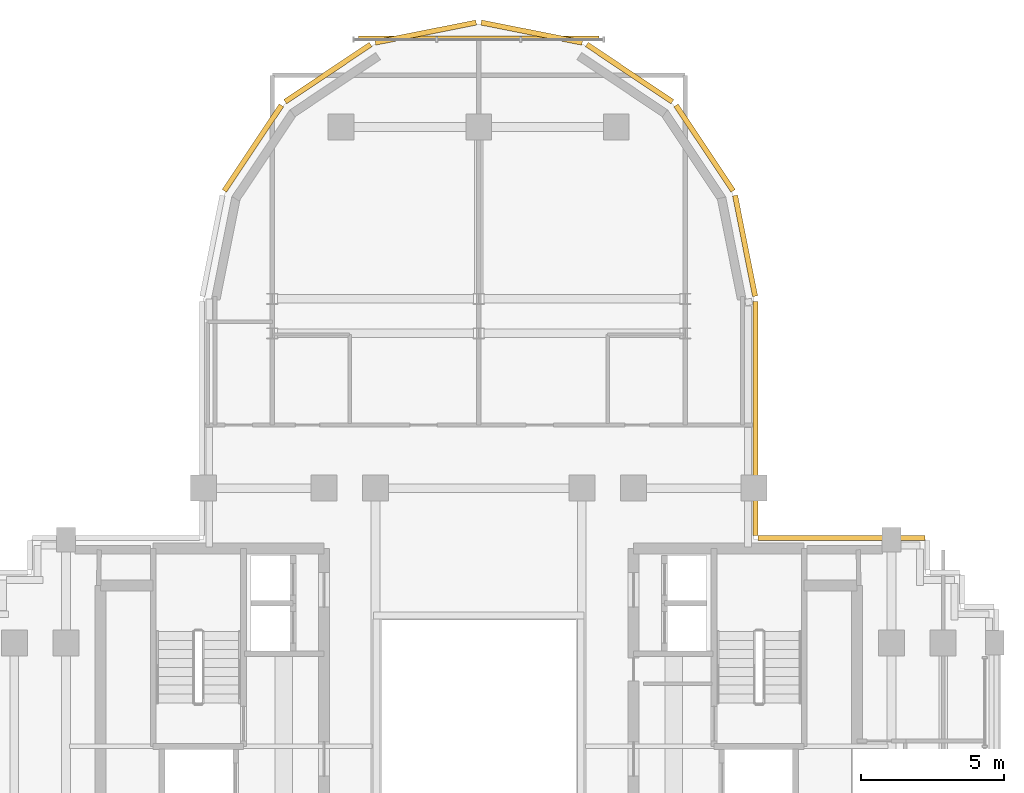
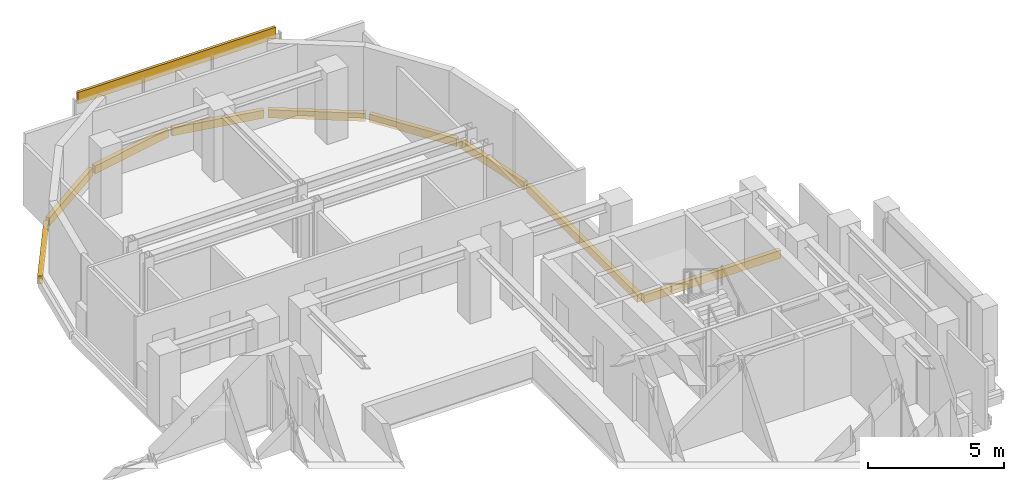
# One storey, part 11 of 11: 10 coverings.
"""IFC4 building model written with IfcOpenShell, lengths in metres."""

import ifcopenshell
import ifcopenshell.guid

model = None  # the IFC model being written
_history = None  # IfcOwnerHistory: only IFC2X3 demands one
_inside = {}  # id of a spatial element -> (the spatial element, [elements in it])
_under = {}  # id of a project, library or spatial element -> (it, [spatial elements below it])
_declared = {}  # id of a project -> (the project, [libraries it declares])
_typed = {}  # id of a type object -> (the type object, [elements of that type])
_made_of = {}  # id of a material, layer set ... -> (it, [elements and type objects made of it])


def new_model(schema):
    """Start an empty IFC model of exactly this schema.

    Asked for "IFC4X3", IfcOpenShell would pick the latest addendum, in which some entities
    have other attributes; the version numbers below select the first issue.
    IFC2X3 requires an IfcOwnerHistory on every rooted entity: one is made here for all.
    """
    global model, _history
    if schema == "IFC4X3":
        model = ifcopenshell.file(schema_version=(4, 3, 0, 0))
    else:
        model = ifcopenshell.file(schema=schema)
    _inside.clear()
    _under.clear()
    _declared.clear()
    _typed.clear()
    _made_of.clear()
    _history = None
    if model.schema == "IFC2X3":
        org = make("IfcOrganization", Name="unknown")
        user = make(
            "IfcPersonAndOrganization",
            ThePerson=make("IfcPerson", FamilyName="unknown"),
            TheOrganization=org,
        )
        app = make(
            "IfcApplication",
            ApplicationDeveloper=org,
            Version="unknown",
            ApplicationFullName="unknown",
            ApplicationIdentifier="unknown",
        )
        _history = make(
            "IfcOwnerHistory",
            OwningUser=user,
            OwningApplication=app,
            ChangeAction="ADDED",
            CreationDate=0,
        )
    return model


def make(cls, **values):
    """One entity of the class cls with the attributes given. An attribute that is None is left unset."""
    return model.create_entity(
        cls, **{name: value for name, value in values.items() if value is not None}
    )


def rooted(cls, **values):
    """An entity with a GlobalId (a new one), such as an element, a storey or a relation."""
    return make(cls, GlobalId=ifcopenshell.guid.new(), OwnerHistory=_history, **values)


def si_unit(unit_type, name, prefix=None):
    """IfcSIUnit, for example si_unit("LENGTHUNIT", "METRE", prefix="MILLI")."""
    return make("IfcSIUnit", UnitType=unit_type, Prefix=prefix, Name=name)


def assignment(units):
    """IfcUnitAssignment: the units of a project."""
    return None if units is None else make("IfcUnitAssignment", Units=units)


def point(xyz):
    """IfcCartesianPoint."""
    return None if xyz is None else make("IfcCartesianPoint", Coordinates=xyz)


def direction(xyz):
    """IfcDirection."""
    return None if xyz is None else make("IfcDirection", DirectionRatios=xyz)


def frame(location, z_axis=None, x_axis=None):
    """IfcAxis2Placement3D, a coordinate frame: its origin and axes. An axis left out is left unset."""
    return make(
        "IfcAxis2Placement3D",
        Location=point(location),
        Axis=direction(z_axis),
        RefDirection=direction(x_axis),
    )


def frame_2d(location, x_axis=None):
    """IfcAxis2Placement2D, a coordinate frame in the plane: its origin and x axis."""
    return make(
        "IfcAxis2Placement2D", Location=point(location), RefDirection=direction(x_axis)
    )


def origin():
    """The frame at (0, 0, 0) with its axes left unset."""
    return frame((0.0, 0.0, 0.0))


def origin_2d():
    """The frame at (0, 0) in the plane with its x axis left unset."""
    return frame_2d((0.0, 0.0))


def place(relative_to, where):
    """IfcLocalPlacement: puts the frame where relative to a parent placement (None: the world)."""
    return make(
        "IfcLocalPlacement", PlacementRelTo=relative_to, RelativePlacement=where
    )


def context(
    kind, dimensions, precision=None, world=None, true_north=None, identifier=None
):
    """IfcGeometricRepresentationContext, for example the 3D "Model" context."""
    return make(
        "IfcGeometricRepresentationContext",
        ContextIdentifier=identifier,
        ContextType=kind,
        CoordinateSpaceDimension=dimensions,
        Precision=precision,
        WorldCoordinateSystem=world,
        TrueNorth=true_north,
    )


def subcontext(parent, identifier, kind, view, scale=None):
    """IfcGeometricRepresentationSubContext, for example "Body" below "Model"."""
    return make(
        "IfcGeometricRepresentationSubContext",
        ContextIdentifier=identifier,
        ContextType=kind,
        ParentContext=parent,
        TargetScale=scale,
        TargetView=view,
    )


def project(units=None, contexts=None):
    """IfcProject with its units and contexts."""
    return rooted(
        "IfcProject",
        Name="project",
        RepresentationContexts=contexts,
        UnitsInContext=assignment(units),
    )


def spatial(cls, under=None, at=None, **own):
    """A site, building, storey or space (cls), placed at a placement, below another one or the project."""
    s = rooted(cls, ObjectPlacement=at, **own)
    if under is not None:
        _under.setdefault(under.id(), (under, []))[1].append(s)
    return s


def profile(cls, at=None, kind="AREA", **sizes):
    """A parametric profile (cls). Its sizes go by their IFC names, for example OverallWidth=200.0."""
    return make(cls, ProfileType=kind, Position=at, **sizes)


def rectangle(**sizes):
    """IfcRectangleProfileDef."""
    return profile("IfcRectangleProfileDef", **sizes)


def extrude(swept, where, along, depth):
    """IfcExtrudedAreaSolid: the profile swept, set in the frame where, extruded along a direction by depth."""
    return make(
        "IfcExtrudedAreaSolid",
        SweptArea=swept,
        Position=where,
        ExtrudedDirection=direction(along),
        Depth=depth,
    )


def shape(context_of_items, identifier, shape_type, items):
    """IfcShapeRepresentation: the items that make up one representation, for example the "Body"."""
    return make(
        "IfcShapeRepresentation",
        ContextOfItems=context_of_items,
        RepresentationIdentifier=identifier,
        RepresentationType=shape_type,
        Items=items,
    )


def source(mapping_origin, context_of_items, identifier, shape_type, items):
    """IfcRepresentationMap: a shape defined once, which mapped items show again and again."""
    return make(
        "IfcRepresentationMap",
        MappingOrigin=mapping_origin,
        MappedRepresentation=shape(context_of_items, identifier, shape_type, items),
    )


def transform(
    local_origin,
    x_axis=None,
    y_axis=None,
    z_axis=None,
    scale=None,
    scale2=None,
    scale3=None,
    uniform=True,
):
    """IfcCartesianTransformationOperator3D, or its non-uniform kind. x_axis, y_axis, z_axis: its Axis1, 2, 3."""
    if uniform:
        return make(
            "IfcCartesianTransformationOperator3D",
            Axis1=direction(x_axis),
            Axis2=direction(y_axis),
            LocalOrigin=point(local_origin),
            Scale=scale,
            Axis3=direction(z_axis),
        )
    return make(
        "IfcCartesianTransformationOperator3DnonUniform",
        Axis1=direction(x_axis),
        Axis2=direction(y_axis),
        LocalOrigin=point(local_origin),
        Scale=scale,
        Axis3=direction(z_axis),
        Scale2=scale2,
        Scale3=scale3,
    )


def mapped(mapping_source, mapping_target):
    """IfcMappedItem: shows the shape of a source again, moved by a transform."""
    return make(
        "IfcMappedItem", MappingSource=mapping_source, MappingTarget=mapping_target
    )


def material(Name=None, Category=None):
    """IfcMaterial."""
    return make("IfcMaterial", Name=Name, Category=Category)


def layer(
    of_material, thickness, ventilated=None, Name=None, Category=None, Priority=None
):
    """IfcMaterialLayer: one layer of a wall or slab, of a material (None: an air gap)."""
    return make(
        "IfcMaterialLayer",
        Material=of_material,
        LayerThickness=thickness,
        IsVentilated=ventilated,
        Name=Name,
        Category=Category,
        Priority=Priority,
    )


def layer_set(layers, Name=None):
    """IfcMaterialLayerSet."""
    return make("IfcMaterialLayerSet", MaterialLayers=layers, LayerSetName=Name)


def made_of(thing, what):
    """Note that an element or type object is made of a material, layer set ...; save() writes the relation."""
    if what is not None:
        _made_of.setdefault(what.id(), (what, []))[1].append(thing)
    return thing


def type_object(cls, material=None, **own):
    """A type object (cls), such as IfcWallType, which elements share."""
    return made_of(rooted(cls, **own), material)


def element(
    cls,
    number,
    at=None,
    inside=None,
    cuts=None,
    type_object=None,
    material=None,
    context=None,
    identifier="Body",
    shape_type=None,
    held_by="IfcProductDefinitionShape",
    body=None,
    shapes=None,
    **own,
):
    """One element of the class cls, such as IfcWall. Its Tag is "e" and its number.

    at: its placement. inside: the storey or other place that contains it. cuts: it is an
    opening in that element (IfcRelVoidsElement). A single representation is given by context,
    identifier, shape_type and body (its items); several are given by shapes. held_by: the class
    of the entity that holds the representations. save() writes the other relations.
    """
    e = rooted(cls, Tag="e%d" % number, ObjectPlacement=at, **own)
    if body is not None:
        shapes = [shape(context, identifier, shape_type, body)]
    if shapes is not None:
        e.Representation = make(held_by, Representations=shapes)
    if inside is not None:
        _inside.setdefault(inside.id(), (inside, []))[1].append(e)
    if cuts is not None:
        rooted(
            "IfcRelVoidsElement", RelatingBuildingElement=cuts, RelatedOpeningElement=e
        )
    if type_object is not None:
        _typed.setdefault(type_object.id(), (type_object, []))[1].append(e)
    return made_of(e, material)


def aggregate(whole, parts):
    """IfcRelAggregates: a whole, such as a stair, and the parts it consists of."""
    return rooted("IfcRelAggregates", RelatingObject=whole, RelatedObjects=parts)


def save(model, path):
    """Write the relations noted so far, then the file.

    IfcRelAggregates (storeys below a building ...), IfcRelContainedInSpatialStructure (elements
    in a storey), IfcRelDefinesByType, IfcRelAssociatesMaterial and IfcRelDeclares: one each for
    every whole, place, type object, material and project.
    """
    for whole, parts in _under.values():
        aggregate(whole, parts)
    for where, things in _inside.values():
        rooted(
            "IfcRelContainedInSpatialStructure",
            RelatedElements=things,
            RelatingStructure=where,
        )
    for kind, things in _typed.values():
        rooted("IfcRelDefinesByType", RelatedObjects=things, RelatingType=kind)
    for what, things in _made_of.values():
        rooted("IfcRelAssociatesMaterial", RelatedObjects=things, RelatingMaterial=what)
    for by, libraries in _declared.values():
        rooted("IfcRelDeclares", RelatingContext=by, RelatedDefinitions=libraries)
    model.write(path)


model = new_model("IFC4")

# Units and contexts
model_context = context("Model", 3, precision=1e-05, world=origin(), true_north=direction((0.0, 1.0)))
body_context = subcontext(model_context, "Body", "Model", "MODEL_VIEW")
ifc_project = project(units=[si_unit("LENGTHUNIT", "METRE"), si_unit("AREAUNIT", "SQUARE_METRE"), si_unit("VOLUMEUNIT", "CUBIC_METRE"), si_unit("PLANEANGLEUNIT", "RADIAN"), si_unit("MASSUNIT", "GRAM", prefix="KILO")], contexts=[model_context])

# Site, building, storey
site_placement = place(None, origin())
site = spatial("IfcSite", under=ifc_project, at=site_placement, CompositionType="ELEMENT")
building_placement = place(site_placement, origin())
building = spatial("IfcBuilding", under=site, at=building_placement, Name="Keilestroom Media Tower", CompositionType="ELEMENT")
storey_placement = place(building_placement, frame((0.0, 0.0, 201.199951171875)))
storey = spatial("IfcBuildingStorey", under=building, at=storey_placement, Name="L55", CompositionType="ELEMENT", Elevation=201.199951171875)

# Coverings
ifc_material = material(Name="Precast concrete C40/50", Category="concrete")
ifc_layer = layer(ifc_material, 0.1201171875)
ifc_layer_set = layer_set([ifc_layer], Name="Precast concrete C40/50")
covering_type = type_object("IfcCoveringType", Name="Exterior-Precast-Spandrel-Cladding-Panel-120", PredefinedType="CLADDING", material=ifc_layer_set)
shared_shape_1 = source(origin(), body_context, "Body", "SweptSolid", [
    extrude(rectangle(XDim=8.39990234375, YDim=0.1201171875, at=origin_2d()), origin(), (0.0, 0.0, 1.0), 0.52001953125),
])
covering_1_placement = place(storey_placement, frame((0.0, 24.719970703125, 2.68994140625), z_axis=(0.0, 0.0, 1.0), x_axis=(1.0, 0.0, 0.0)))
element("IfcCovering", 1, at=covering_1_placement, inside=storey, type_object=covering_type, Name="L55 Precast Spandrel Cladding N", PredefinedType="CLADDING", context=body_context, shape_type="MappedRepresentation", body=[
    mapped(shared_shape_1, transform((0.0, 0.0, 0.0), x_axis=(1.0, 0.0, 0.0), y_axis=(0.0, 1.0, 0.0), z_axis=(0.0, 0.0, 1.0), scale=1.0)),
])
shared_shape_2 = source(origin(), body_context, "Body", "SweptSolid", [
    extrude(rectangle(XDim=8.166015625, YDim=0.179931640625, at=origin_2d()), origin(), (0.0, 0.0, 1.0), 0.360107421875),
])
covering_2_placement = place(storey_placement, frame((9.659912109375, 11.43310546875, -0.5400390625), z_axis=(0.0, 0.0, 1.0), x_axis=(0.0, -1.0, 0.0)))
element("IfcCovering", 2, at=covering_2_placement, inside=storey, type_object=covering_type, Name="L55 Precast Slab-Edge Fascia Cornice 36", PredefinedType="CLADDING", context=body_context, shape_type="MappedRepresentation", body=[
    mapped(shared_shape_2, transform((0.0, 0.0, 0.0), x_axis=(1.0, 0.0, 0.0), y_axis=(0.0, 1.0, 0.0), z_axis=(0.0, 0.0, 1.0), scale=1.0)),
])
shared_shape_3 = source(origin(), body_context, "Body", "SweptSolid", [
    extrude(rectangle(XDim=3.58349609375, YDim=0.179931640625, at=origin_2d()), origin(), (0.0, 0.0, 1.0), 0.360107421875),
])
covering_3_placement = place(storey_placement, frame((9.29296875, 17.45166015625, -0.5400390625), z_axis=(0.0, 0.0, 1.0), x_axis=(0.195098880975, -0.980783577882, 0.0)))
element("IfcCovering", 3, at=covering_3_placement, inside=storey, type_object=covering_type, Name="L55 Precast Slab-Edge Fascia Cornice 35", PredefinedType="CLADDING", context=body_context, shape_type="MappedRepresentation", body=[
    mapped(shared_shape_3, transform((0.0, 0.0, 0.0), x_axis=(1.0, 0.0, 0.0), y_axis=(0.0, 1.0, 0.0), z_axis=(0.0, 0.0, 1.0), scale=1.0)),
])
shared_shape_4 = source(origin(), body_context, "Body", "SweptSolid", [
    extrude(rectangle(XDim=3.589599609375, YDim=0.179931640625, at=origin_2d()), origin(), (0.0, 0.0, 1.0), 0.360107421875),
])
for number, where, z_axis, x_axis, name in (
    (4, (-7.878662109375, 20.8642578125, -0.5400390625), (0.0, 0.0, 1.0), (0.555574586577, 0.831466703332, 0.0), "L55 Precast Slab-Edge Fascia Cornice 29"),
    (5, (-5.264404296875, 23.478515625, -0.5400390625), (0.0, 0.0, 1.0), (0.831466703332, 0.555574586577, 0.0), "L55 Precast Slab-Edge Fascia Cornice 30"),
    (6, (-1.8486328125, 24.893310546875, -0.5400390625), (0.0, 0.0, 1.0), (0.980783577882, 0.195098880975, 0.0), "L55 Precast Slab-Edge Fascia Cornice 31"),
    (7, (1.8486328125, 24.893310546875, -0.5400390625), (0.0, 0.0, 1.0), (0.980783577882, -0.195098880975, 0.0), "L55 Precast Slab-Edge Fascia Cornice 32"),
    (8, (5.264404296875, 23.478515625, -0.5400390625), (0.0, 0.0, 1.0), (0.831466703332, -0.555574586577, 0.0), "L55 Precast Slab-Edge Fascia Cornice 33"),
    (9, (7.878662109375, 20.8642578125, -0.5400390625), (0.0, 0.0, 1.0), (0.555574586577, -0.831466703332, 0.0), "L55 Precast Slab-Edge Fascia Cornice 34"),
):
    element("IfcCovering", number, at=place(storey_placement, frame(where, z_axis=z_axis, x_axis=x_axis)), inside=storey, type_object=covering_type, Name=name, PredefinedType="CLADDING", context=body_context, shape_type="MappedRepresentation", body=[
        mapped(shared_shape_4, transform((0.0, 0.0, 0.0), x_axis=(1.0, 0.0, 0.0), y_axis=(0.0, 1.0, 0.0), z_axis=(0.0, 0.0, 1.0), scale=1.0)),
    ])
shared_shape_5 = source(origin(), body_context, "Body", "SweptSolid", [
    extrude(rectangle(XDim=5.820068359375, YDim=0.179931640625, at=origin_2d()), origin(), (0.0, 0.0, 1.0), 0.360107421875),
])
covering_4_placement = place(storey_placement, frame((12.659912109375, 7.260009765625, -0.5400390625), z_axis=(0.0, 0.0, 1.0), x_axis=(1.0, 0.0, 0.0)))
element("IfcCovering", 10, at=covering_4_placement, inside=storey, type_object=covering_type, Name="L55 Precast Slab-Edge Fascia Cornice 37", PredefinedType="CLADDING", context=body_context, shape_type="MappedRepresentation", body=[
    mapped(shared_shape_5, transform((0.0, 0.0, 0.0), x_axis=(1.0, 0.0, 0.0), y_axis=(0.0, 1.0, 0.0), z_axis=(0.0, 0.0, 1.0), scale=1.0)),
])

save(model, "model.ifc")
